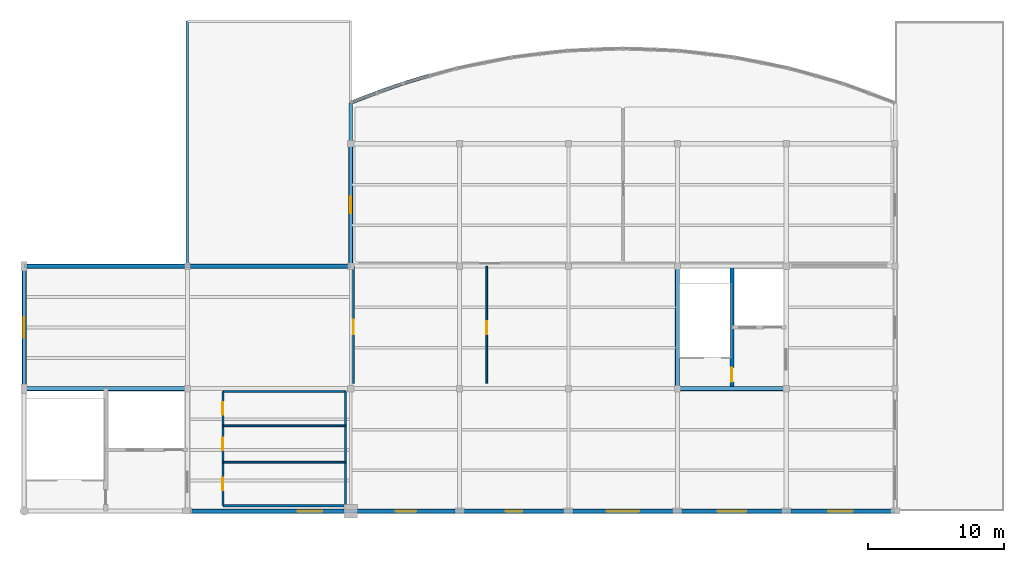
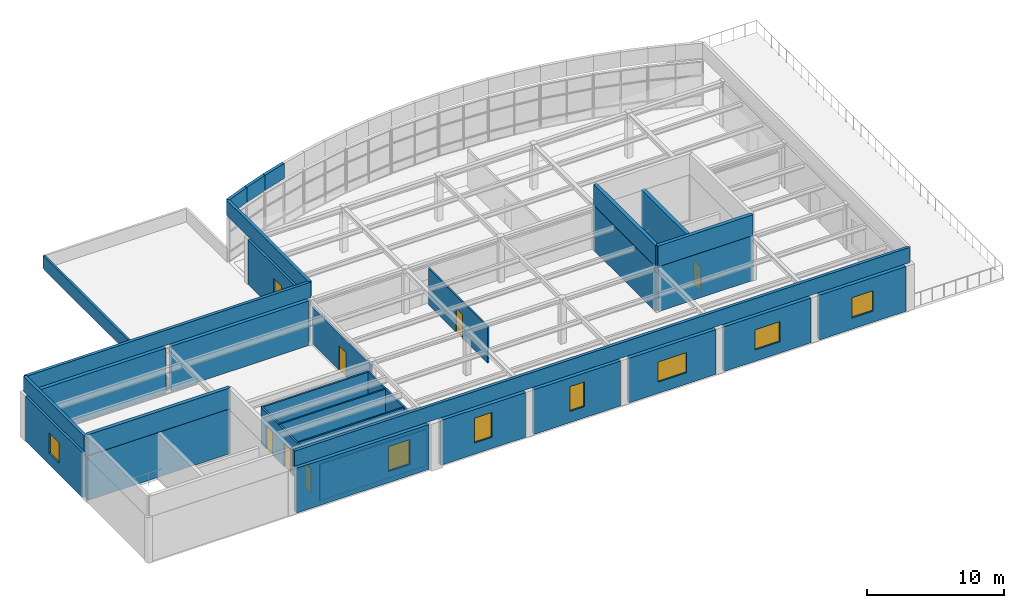
# One storey, part 7 of 9: 33 walls, 8 windows, 6 doors, 14 openings.
"""IFC4 building model written with IfcOpenShell, lengths in metres."""

from ifc_helpers import new_model, si_unit, direction, frame, frame_2d, origin, place, context, subcontext, project, spatial, rectangle, extrude, material, layer, layer_set, type_object, element, fill, save


model = new_model("IFC4")

# Units and contexts
model_context = context("Model", 3, precision=1e-05, world=origin(), true_north=direction((0.0, 1.0)))
body_context = subcontext(model_context, "Body", "Model", "MODEL_VIEW")
ifc_project = project(units=[si_unit("LENGTHUNIT", "METRE"), si_unit("AREAUNIT", "SQUARE_METRE"), si_unit("VOLUMEUNIT", "CUBIC_METRE"), si_unit("PLANEANGLEUNIT", "RADIAN"), si_unit("MASSUNIT", "GRAM", prefix="KILO")], contexts=[model_context])

# Site, building, storey
site_placement = place(None, origin())
site = spatial("IfcSite", under=ifc_project, at=site_placement, CompositionType="ELEMENT")
building_placement = place(site_placement, origin())
building = spatial("IfcBuilding", under=site, at=building_placement, Name="Keelwater Ferry Terminal", CompositionType="ELEMENT")
storey_placement = place(building_placement, frame((0.0, 0.0, 23.699951171875)))
storey = spatial("IfcBuildingStorey", under=building, at=storey_placement, Name="L05", CompositionType="ELEMENT", Elevation=23.699951171875)

# Wall, opening, window
ifc_material_1 = material(Name="Precast concrete C40/50", Category="concrete")
ifc_layer_1 = layer(ifc_material_1, 0.320068359375)
ifc_layer_set_1 = layer_set([ifc_layer_1], Name="Precast concrete C40/50")
wall_type_1 = type_object("IfcWallType", Name="EW-TC320 External Solid Wall 320", PredefinedType="SOLIDWALL", material=ifc_layer_set_1)
wall_1_placement = place(storey_placement, frame((131.5, 90.0, 0.0), z_axis=(0.0, 0.0, 1.0), x_axis=(-1.0, 0.0, 0.0)))
wall_1 = element("IfcWall", 1, at=wall_1_placement, inside=storey, type_object=wall_type_1, Name="External Wall WL-L05-0145", PredefinedType="SOLIDWALL", context=body_context, shape_type="SweptSolid", body=[
    extrude(rectangle(XDim=11.14990234375, YDim=0.320068359375, at=frame_2d((5.574951171875, 0.0))), origin(), (0.0, 0.0, 1.0), 3.97998046875),
])
opening_1_placement = place(wall_1_placement, frame((1.60009765625, 0.0, 1.0)))
opening_1 = element("IfcOpeningElement", 2, at=opening_1_placement, cuts=wall_1, Name="Opening WN-03", PredefinedType="OPENING", context=body_context, shape_type="SweptSolid", body=[
    extrude(rectangle(XDim=1.800048828125, YDim=2.199951171875, at=frame_2d((0.89990234375, 1.10009765625))), frame((0.0, 0.170166015625, 0.0), z_axis=(0.0, -1.0, 0.0), x_axis=(1.0, 0.0, 0.0)), (0.0, 0.0, 1.0), 0.340087890625),
])
ifc_material_2 = material(Name="Triple low-E glass in thermally broken aluminium frame", Category="aluminium")
window_type_1 = type_object("IfcWindowType", Name="WN-03 Exterior Window 1800x2200", PartitioningType="SINGLE_PANEL", PredefinedType="WINDOW", material=ifc_material_2)
window_1_placement = place(opening_1_placement, origin())
window_1 = element("IfcWindow", 3, at=window_1_placement, inside=storey, type_object=window_type_1, Name="Window WN-L05-0102", OverallHeight=2.199951171875, OverallWidth=1.800048828125, PartitioningType="SINGLE_PANEL", PredefinedType="WINDOW", context=body_context, shape_type="SweptSolid", body=[
    extrude(rectangle(XDim=1.800048828125, YDim=2.199951171875, at=frame_2d((0.89990234375, 1.10009765625))), frame((0.0, 0.030029296875, 0.0), z_axis=(0.0, -1.0, 0.0), x_axis=(1.0, 0.0, 0.0)), (0.0, 0.0, 1.0), 0.06005859375),
])
fill(opening_1, window_1)

wall_2_placement = place(storey_placement, frame((139.64990234375, 90.0, 0.0), z_axis=(0.0, 0.0, 1.0), x_axis=(-1.0, 0.0, 0.0)))
wall_2 = element("IfcWall", 4, at=wall_2_placement, inside=storey, type_object=wall_type_1, Name="External Wall WL-L05-0146", PredefinedType="SOLIDWALL", context=body_context, shape_type="SweptSolid", body=[
    extrude(rectangle(XDim=7.14990234375, YDim=0.320068359375, at=frame_2d((3.574951171875, 0.0))), origin(), (0.0, 0.0, 1.0), 3.97998046875),
])
opening_2_placement = place(wall_2_placement, frame((2.824951171875, 0.0, 1.0)))
opening_2 = element("IfcOpeningElement", 5, at=opening_2_placement, cuts=wall_2, Name="Opening WN-04", PredefinedType="OPENING", context=body_context, shape_type="SweptSolid", body=[
    extrude(rectangle(XDim=1.5, YDim=2.199951171875, at=frame_2d((0.75, 1.10009765625))), frame((0.0, 0.170166015625, 0.0), z_axis=(0.0, -1.0, 0.0), x_axis=(1.0, 0.0, 0.0)), (0.0, 0.0, 1.0), 0.340087890625),
])
ifc_material_3 = material(Name="Triple low-E glass in thermally broken aluminium frame", Category="aluminium")
window_type_2 = type_object("IfcWindowType", Name="WN-04 Exterior Window 1500x2200", PartitioningType="SINGLE_PANEL", PredefinedType="WINDOW", material=ifc_material_3)
window_2_placement = place(opening_2_placement, origin())
window_2 = element("IfcWindow", 6, at=window_2_placement, inside=storey, type_object=window_type_2, Name="Window WN-L05-0103", OverallHeight=2.199951171875, OverallWidth=1.5, PartitioningType="SINGLE_PANEL", PredefinedType="WINDOW", context=body_context, shape_type="SweptSolid", body=[
    extrude(rectangle(XDim=1.5, YDim=2.199951171875, at=frame_2d((0.75, 1.10009765625))), frame((0.0, 0.030029296875, 0.0), z_axis=(0.0, -1.0, 0.0), x_axis=(1.0, 0.0, 0.0)), (0.0, 0.0, 1.0), 0.06005859375),
])
fill(opening_2, window_2)

wall_3_placement = place(storey_placement, frame((147.64990234375, 90.0, 0.0), z_axis=(0.0, 0.0, 1.0), x_axis=(-1.0, 0.0, 0.0)))
wall_3 = element("IfcWall", 7, at=wall_3_placement, inside=storey, type_object=wall_type_1, Name="External Wall WL-L05-0147", PredefinedType="SOLIDWALL", context=body_context, shape_type="SweptSolid", body=[
    extrude(rectangle(XDim=7.2998046875, YDim=0.320068359375, at=frame_2d((3.64990234375, 0.0))), origin(), (0.0, 0.0, 1.0), 3.97998046875),
])
opening_3_placement = place(wall_3_placement, frame((3.050048828125, 0.0, 1.0)))
opening_3 = element("IfcOpeningElement", 8, at=opening_3_placement, cuts=wall_3, Name="Opening WN-05", PredefinedType="OPENING", context=body_context, shape_type="SweptSolid", body=[
    extrude(rectangle(XDim=1.199951171875, YDim=2.199951171875, at=frame_2d((0.60009765625, 1.10009765625))), frame((0.0, 0.170166015625, 0.0), z_axis=(0.0, -1.0, 0.0), x_axis=(1.0, 0.0, 0.0)), (0.0, 0.0, 1.0), 0.340087890625),
])
ifc_material_4 = material(Name="Triple low-E glass in thermally broken aluminium frame", Category="aluminium")
window_type_3 = type_object("IfcWindowType", Name="WN-05 Exterior Window 1200x2200", PartitioningType="SINGLE_PANEL", PredefinedType="WINDOW", material=ifc_material_4)
window_3_placement = place(opening_3_placement, origin())
window_3 = element("IfcWindow", 9, at=window_3_placement, inside=storey, type_object=window_type_3, Name="Window WN-L05-0104", OverallHeight=2.199951171875, OverallWidth=1.199951171875, PartitioningType="SINGLE_PANEL", PredefinedType="WINDOW", context=body_context, shape_type="SweptSolid", body=[
    extrude(rectangle(XDim=1.199951171875, YDim=2.199951171875, at=frame_2d((0.60009765625, 1.10009765625))), frame((0.0, 0.030029296875, 0.0), z_axis=(0.0, -1.0, 0.0), x_axis=(1.0, 0.0, 0.0)), (0.0, 0.0, 1.0), 0.06005859375),
])
fill(opening_3, window_3)

wall_4_placement = place(storey_placement, frame((155.64990234375, 90.0, 0.0), z_axis=(0.0, 0.0, 1.0), x_axis=(-1.0, 0.0, 0.0)))
wall_4 = element("IfcWall", 10, at=wall_4_placement, inside=storey, type_object=wall_type_1, Name="External Wall WL-L05-0148", PredefinedType="SOLIDWALL", context=body_context, shape_type="SweptSolid", body=[
    extrude(rectangle(XDim=7.2998046875, YDim=0.320068359375, at=frame_2d((3.64990234375, 0.0))), origin(), (0.0, 0.0, 1.0), 3.97998046875),
])
opening_4_placement = place(wall_4_placement, frame((2.449951171875, 0.0, 1.0)))
opening_4 = element("IfcOpeningElement", 11, at=opening_4_placement, cuts=wall_4, Name="Opening WN-06", PredefinedType="OPENING", context=body_context, shape_type="SweptSolid", body=[
    extrude(rectangle(XDim=2.39990234375, YDim=1.800048828125, at=frame_2d((1.199951171875, 0.89990234375))), frame((0.0, 0.170166015625, 0.0), z_axis=(0.0, -1.0, 0.0), x_axis=(1.0, 0.0, 0.0)), (0.0, 0.0, 1.0), 0.340087890625),
])
ifc_material_5 = material(Name="Triple low-E glass in thermally broken aluminium frame", Category="aluminium")
window_type_4 = type_object("IfcWindowType", Name="WN-06 Exterior Window 2400x1800", PartitioningType="SINGLE_PANEL", PredefinedType="WINDOW", material=ifc_material_5)
window_4_placement = place(opening_4_placement, origin())
window_4 = element("IfcWindow", 12, at=window_4_placement, inside=storey, type_object=window_type_4, Name="Window WN-L05-0105", OverallHeight=1.800048828125, OverallWidth=2.39990234375, PartitioningType="SINGLE_PANEL", PredefinedType="WINDOW", context=body_context, shape_type="SweptSolid", body=[
    extrude(rectangle(XDim=2.39990234375, YDim=1.800048828125, at=frame_2d((1.199951171875, 0.89990234375))), frame((0.0, 0.030029296875, 0.0), z_axis=(0.0, -1.0, 0.0), x_axis=(1.0, 0.0, 0.0)), (0.0, 0.0, 1.0), 0.06005859375),
])
fill(opening_4, window_4)

wall_5_placement = place(storey_placement, frame((163.64990234375, 90.0, 0.0), z_axis=(0.0, 0.0, 1.0), x_axis=(-1.0, 0.0, 0.0)))
wall_5 = element("IfcWall", 13, at=wall_5_placement, inside=storey, type_object=wall_type_1, Name="External Wall WL-L05-0149", PredefinedType="SOLIDWALL", context=body_context, shape_type="SweptSolid", body=[
    extrude(rectangle(XDim=7.2998046875, YDim=0.320068359375, at=frame_2d((3.64990234375, 0.0))), origin(), (0.0, 0.0, 1.0), 3.97998046875),
])
opening_5_placement = place(wall_5_placement, frame((2.60009765625, 0.0, 1.0)))
opening_5 = element("IfcOpeningElement", 14, at=opening_5_placement, cuts=wall_5, Name="Opening WN-07", PredefinedType="OPENING", context=body_context, shape_type="SweptSolid", body=[
    extrude(rectangle(XDim=2.10009765625, YDim=1.800048828125, at=frame_2d((1.050048828125, 0.89990234375))), frame((0.0, 0.170166015625, 0.0), z_axis=(0.0, -1.0, 0.0), x_axis=(1.0, 0.0, 0.0)), (0.0, 0.0, 1.0), 0.340087890625),
])
ifc_material_6 = material(Name="Triple low-E glass in thermally broken aluminium frame", Category="aluminium")
window_type_5 = type_object("IfcWindowType", Name="WN-07 Exterior Window 2100x1800", PartitioningType="SINGLE_PANEL", PredefinedType="WINDOW", material=ifc_material_6)
window_5_placement = place(opening_5_placement, origin())
window_5 = element("IfcWindow", 15, at=window_5_placement, inside=storey, type_object=window_type_5, Name="Window WN-L05-0106", OverallHeight=1.800048828125, OverallWidth=2.10009765625, PartitioningType="SINGLE_PANEL", PredefinedType="WINDOW", context=body_context, shape_type="SweptSolid", body=[
    extrude(rectangle(XDim=2.10009765625, YDim=1.800048828125, at=frame_2d((1.050048828125, 0.89990234375))), frame((0.0, 0.030029296875, 0.0), z_axis=(0.0, -1.0, 0.0), x_axis=(1.0, 0.0, 0.0)), (0.0, 0.0, 1.0), 0.06005859375),
])
fill(opening_5, window_5)

wall_6_placement = place(storey_placement, frame((171.64990234375, 90.0, 0.0), z_axis=(0.0, 0.0, 1.0), x_axis=(-1.0, 0.0, 0.0)))
wall_6 = element("IfcWall", 16, at=wall_6_placement, inside=storey, type_object=wall_type_1, Name="External Wall WL-L05-0150", PredefinedType="SOLIDWALL", context=body_context, shape_type="SweptSolid", body=[
    extrude(rectangle(XDim=7.2998046875, YDim=0.320068359375, at=frame_2d((3.64990234375, 0.0))), origin(), (0.0, 0.0, 1.0), 3.97998046875),
])
opening_6_placement = place(wall_6_placement, frame((2.75, 0.0, 1.0)))
opening_6 = element("IfcOpeningElement", 17, at=opening_6_placement, cuts=wall_6, Name="Opening WN-08", PredefinedType="OPENING", context=body_context, shape_type="SweptSolid", body=[
    extrude(rectangle(XDim=1.800048828125, YDim=1.800048828125, at=frame_2d((0.89990234375, 0.89990234375))), frame((0.0, 0.170166015625, 0.0), z_axis=(0.0, -1.0, 0.0), x_axis=(1.0, 0.0, 0.0)), (0.0, 0.0, 1.0), 0.340087890625),
])
ifc_material_7 = material(Name="Triple low-E glass in thermally broken aluminium frame", Category="aluminium")
window_type_6 = type_object("IfcWindowType", Name="WN-08 Exterior Window 1800x1800", PartitioningType="SINGLE_PANEL", PredefinedType="WINDOW", material=ifc_material_7)
window_6_placement = place(opening_6_placement, origin())
window_6 = element("IfcWindow", 18, at=window_6_placement, inside=storey, type_object=window_type_6, Name="Window WN-L05-0107", OverallHeight=1.800048828125, OverallWidth=1.800048828125, PartitioningType="SINGLE_PANEL", PredefinedType="WINDOW", context=body_context, shape_type="SweptSolid", body=[
    extrude(rectangle(XDim=1.800048828125, YDim=1.800048828125, at=frame_2d((0.89990234375, 0.89990234375))), frame((0.0, 0.030029296875, 0.0), z_axis=(0.0, -1.0, 0.0), x_axis=(1.0, 0.0, 0.0)), (0.0, 0.0, 1.0), 0.06005859375),
])
fill(opening_6, window_6)

wall_7_placement = place(storey_placement, frame((108.0, 107.64990234375, 0.0), z_axis=(0.0, 0.0, 1.0), x_axis=(0.0, -1.0, 0.0)))
wall_7 = element("IfcWall", 19, at=wall_7_placement, inside=storey, type_object=wall_type_1, Name="External Wall WL-L05-0151", PredefinedType="SOLIDWALL", context=body_context, shape_type="SweptSolid", body=[
    extrude(rectangle(XDim=8.2998046875, YDim=0.320068359375, at=frame_2d((4.14990234375, 0.0))), origin(), (0.0, 0.0, 1.0), 3.97998046875),
])
opening_7_placement = place(wall_7_placement, frame((3.39990234375, 0.0, 1.0)))
opening_7 = element("IfcOpeningElement", 20, at=opening_7_placement, cuts=wall_7, Name="Opening WN-09", PredefinedType="OPENING", context=body_context, shape_type="SweptSolid", body=[
    extrude(rectangle(XDim=1.5, YDim=1.800048828125, at=frame_2d((0.75, 0.89990234375))), frame((0.0, 0.170166015625, 0.0), z_axis=(0.0, -1.0, 0.0), x_axis=(1.0, 0.0, 0.0)), (0.0, 0.0, 1.0), 0.340087890625),
])
ifc_material_8 = material(Name="Triple low-E glass in thermally broken aluminium frame", Category="aluminium")
window_type_7 = type_object("IfcWindowType", Name="WN-09 Exterior Window 1500x1800", PartitioningType="SINGLE_PANEL", PredefinedType="WINDOW", material=ifc_material_8)
window_7_placement = place(opening_7_placement, origin())
window_7 = element("IfcWindow", 21, at=window_7_placement, inside=storey, type_object=window_type_7, Name="Window WN-L05-0108", OverallHeight=1.800048828125, OverallWidth=1.5, PartitioningType="SINGLE_PANEL", PredefinedType="WINDOW", context=body_context, shape_type="SweptSolid", body=[
    extrude(rectangle(XDim=1.5, YDim=1.800048828125, at=frame_2d((0.75, 0.89990234375))), frame((0.0, 0.030029296875, 0.0), z_axis=(0.0, -1.0, 0.0), x_axis=(1.0, 0.0, 0.0)), (0.0, 0.0, 1.0), 0.06005859375),
])
fill(opening_7, window_7)

wall_8_placement = place(storey_placement, frame((132.0, 116.77490234375, 0.0), z_axis=(0.0, 0.0, 1.0), x_axis=(0.0, -1.0, 0.0)))
wall_8 = element("IfcWall", 22, at=wall_8_placement, inside=storey, type_object=wall_type_1, Name="External Wall WL-L05-0152", PredefinedType="SOLIDWALL", context=body_context, shape_type="SweptSolid", body=[
    extrude(rectangle(XDim=8.5498046875, YDim=0.320068359375, at=frame_2d((4.27490234375, 0.0))), origin(), (0.0, 0.0, 1.0), 3.97998046875),
])
opening_8_placement = place(wall_8_placement, frame((3.675048828125, 0.0, 1.0)))
opening_8 = element("IfcOpeningElement", 23, at=opening_8_placement, cuts=wall_8, Name="Opening WN-10", PredefinedType="OPENING", context=body_context, shape_type="SweptSolid", body=[
    extrude(rectangle(XDim=1.199951171875, YDim=1.800048828125, at=frame_2d((0.60009765625, 0.89990234375))), frame((0.0, 0.170166015625, 0.0), z_axis=(0.0, -1.0, 0.0), x_axis=(1.0, 0.0, 0.0)), (0.0, 0.0, 1.0), 0.340087890625),
])
ifc_material_9 = material(Name="Triple low-E glass in thermally broken aluminium frame", Category="aluminium")
window_type_8 = type_object("IfcWindowType", Name="WN-10 Exterior Window 1200x1800", PartitioningType="SINGLE_PANEL", PredefinedType="WINDOW", material=ifc_material_9)
window_8_placement = place(opening_8_placement, origin())
window_8 = element("IfcWindow", 24, at=window_8_placement, inside=storey, type_object=window_type_8, Name="Window WN-L05-0109", OverallHeight=1.800048828125, OverallWidth=1.199951171875, PartitioningType="SINGLE_PANEL", PredefinedType="WINDOW", context=body_context, shape_type="SweptSolid", body=[
    extrude(rectangle(XDim=1.199951171875, YDim=1.800048828125, at=frame_2d((0.60009765625, 0.89990234375))), frame((0.0, 0.030029296875, 0.0), z_axis=(0.0, -1.0, 0.0), x_axis=(1.0, 0.0, 0.0)), (0.0, 0.0, 1.0), 0.06005859375),
])
fill(opening_8, window_8)

# Walls
for number, where, z_axis, x_axis, name in (
    (25, (108.22509765625, 108.0, 0.0), (0.0, 0.0, 1.0), (1.0, 0.0, 0.0), "External Wall WL-L05-0153"),
    (26, (120.22509765625, 108.0, 0.0), (0.0, 0.0, 1.0), (1.0, 0.0, 0.0), "External Wall WL-L05-0154"),
):
    element("IfcWall", number, at=place(storey_placement, frame(where, z_axis=z_axis, x_axis=x_axis)), inside=storey, type_object=wall_type_1, Name=name, PredefinedType="SOLIDWALL", context=body_context, shape_type="SweptSolid", body=[
        extrude(rectangle(XDim=11.5498046875, YDim=0.320068359375, at=frame_2d((5.77490234375, 0.0))), origin(), (0.0, 0.0, 1.0), 3.97998046875),
    ])
ifc_material_10 = material(Name="Gypsum board on acoustic steel stud", Category="steel")
ifc_layer_2 = layer(ifc_material_10, 0.125)
ifc_layer_set_2 = layer_set([ifc_layer_2], Name="Gypsum board on acoustic steel stud")
wall_type_2 = type_object("IfcWallType", Name="PT-125 Partition Wall 125", PredefinedType="PARTITIONING", material=ifc_layer_set_2)
for number, where, z_axis, x_axis, name in (
    (27, (122.60009765625, 93.592041015625, 0.0), (0.0, 0.0, 1.0), (1.0, 0.0, 0.0), "Interior Wall WL-INT-L05-0200"),
    (28, (122.60009765625, 96.280029296875, 0.0), (0.0, 0.0, 1.0), (1.0, 0.0, 0.0), "Interior Wall WL-INT-L05-0201"),
):
    element("IfcWall", number, at=place(storey_placement, frame(where, z_axis=z_axis, x_axis=x_axis)), inside=storey, type_object=wall_type_2, Name=name, PredefinedType="PARTITIONING", context=body_context, shape_type="SweptSolid", body=[
        extrude(rectangle(XDim=9.0, YDim=0.125, at=frame_2d((4.5, 0.0))), origin(), (0.0, 0.0, 1.0), 3.25),
    ])

# Wall, opening, door
wall_9_placement = place(storey_placement, frame((142.0, 99.39990234375, 0.0), z_axis=(0.0, 0.0, 1.0), x_axis=(0.0, 1.0, 0.0)))
wall_9 = element("IfcWall", 29, at=wall_9_placement, inside=storey, type_object=wall_type_2, Name="Interior Wall WL-INT-L05-0274", PredefinedType="PARTITIONING", context=body_context, shape_type="SweptSolid", body=[
    extrude(rectangle(XDim=8.60009765625, YDim=0.125, at=frame_2d((4.300048828125, 0.0))), origin(), (0.0, 0.0, 1.0), 3.25),
])
opening_9_placement = place(wall_9_placement, frame((3.60009765625, 0.0, 0.0)))
opening_9 = element("IfcOpeningElement", 30, at=opening_9_placement, cuts=wall_9, Name="Opening DR-057", PredefinedType="OPENING", context=body_context, shape_type="SweptSolid", body=[
    extrude(rectangle(XDim=0.949951171875, YDim=2.10009765625, at=frame_2d((0.47509765625, 1.050048828125))), frame((0.0, 0.072509765625, 0.0), z_axis=(0.0, -1.0, 0.0), x_axis=(1.0, 0.0, 0.0)), (0.0, 0.0, 1.0), 0.14501953125),
])
ifc_material_11 = material(Name="Acoustic oak and fire-rated steel frame door", Category="steel")
door_type_1 = type_object("IfcDoorType", Name="ID-08 Pedestrian Door 950x2100", OperationType="NOTDEFINED", PredefinedType="DOOR", material=ifc_material_11)
door_1_placement = place(opening_9_placement, origin())
door_1 = element("IfcDoor", 31, at=door_1_placement, inside=storey, type_object=door_type_1, Name="Door DR-057", OperationType="SINGLE_SWING_RIGHT", OverallHeight=2.10009765625, OverallWidth=0.949951171875, PredefinedType="DOOR", context=body_context, shape_type="SweptSolid", body=[
    extrude(rectangle(XDim=0.949951171875, YDim=2.10009765625, at=frame_2d((0.47509765625, 1.050048828125))), frame((0.0, 0.02490234375, 0.0), z_axis=(0.0, -1.0, 0.0), x_axis=(1.0, 0.0, 0.0)), (0.0, 0.0, 1.0), 0.050048828125),
])
fill(opening_9, door_1)

wall_10_placement = place(storey_placement, frame((132.199951171875, 99.39990234375, 0.0), z_axis=(0.0, 0.0, 1.0), x_axis=(0.0, 1.0, 0.0)))
wall_10 = element("IfcWall", 32, at=wall_10_placement, inside=storey, type_object=wall_type_2, Name="Interior Wall WL-INT-L05-0275", PredefinedType="PARTITIONING", context=body_context, shape_type="SweptSolid", body=[
    extrude(rectangle(XDim=8.60009765625, YDim=0.125, at=frame_2d((4.300048828125, 0.0))), origin(), (0.0, 0.0, 1.0), 3.25),
])
opening_10_placement = place(wall_10_placement, frame((3.60009765625, 0.0, 0.0)))
opening_10 = element("IfcOpeningElement", 33, at=opening_10_placement, cuts=wall_10, Name="Opening DR-058", PredefinedType="OPENING", context=body_context, shape_type="SweptSolid", body=[
    extrude(rectangle(XDim=1.050048828125, YDim=2.14990234375, at=frame_2d((0.52490234375, 1.074951171875))), frame((0.0, 0.072509765625, 0.0), z_axis=(0.0, -1.0, 0.0), x_axis=(1.0, 0.0, 0.0)), (0.0, 0.0, 1.0), 0.14501953125),
])
ifc_material_12 = material(Name="Acoustic oak and fire-rated steel frame door", Category="steel")
door_type_2 = type_object("IfcDoorType", Name="ID-06 Pedestrian Door 1050x2150", OperationType="NOTDEFINED", PredefinedType="DOOR", material=ifc_material_12)
door_2_placement = place(opening_10_placement, origin())
door_2 = element("IfcDoor", 34, at=door_2_placement, inside=storey, type_object=door_type_2, Name="Door DR-058", OperationType="SINGLE_SWING_LEFT", OverallHeight=2.14990234375, OverallWidth=1.050048828125, PredefinedType="DOOR", context=body_context, shape_type="SweptSolid", body=[
    extrude(rectangle(XDim=1.050048828125, YDim=2.14990234375, at=frame_2d((0.52490234375, 1.074951171875))), frame((0.0, 0.02490234375, 0.0), z_axis=(0.0, -1.0, 0.0), x_axis=(1.0, 0.0, 0.0)), (0.0, 0.0, 1.0), 0.050048828125),
])
fill(opening_10, door_2)

# Wall, openings, doors
ifc_material_13 = material(Name="Gypsum board on acoustic steel stud", Category="steel")
ifc_layer_3 = layer(ifc_material_13, 0.14990234375)
ifc_layer_set_3 = layer_set([ifc_layer_3], Name="Gypsum board on acoustic steel stud")
wall_type_3 = type_object("IfcWallType", Name="PT-150 Partition Wall 150", PredefinedType="PARTITIONING", material=ifc_layer_set_3)
wall_11_placement = place(storey_placement, frame((122.60009765625, 90.39990234375, 0.0), z_axis=(0.0, 0.0, 1.0), x_axis=(0.0, 1.0, 0.0)))
wall_11 = element("IfcWall", 35, at=wall_11_placement, inside=storey, type_object=wall_type_3, Name="Interior Wall WL-INT-L05-0196", PredefinedType="PARTITIONING", context=body_context, shape_type="SweptSolid", body=[
    extrude(rectangle(XDim=8.400146484375, YDim=0.14990234375, at=frame_2d((4.2001953125, 0.0))), origin(), (0.0, 0.0, 1.0), 3.25),
])
opening_11_placement = place(wall_11_placement, frame((1.14599609375, 0.0, 0.0)))
opening_11 = element("IfcOpeningElement", 36, at=opening_11_placement, cuts=wall_11, Name="Opening WD-025", PredefinedType="OPENING", context=body_context, shape_type="SweptSolid", body=[
    extrude(rectangle(XDim=0.89990234375, YDim=2.10009765625, at=frame_2d((0.449951171875, 1.050048828125))), frame((0.0, 0.0849609375, 0.0), z_axis=(0.0, -1.0, 0.0), x_axis=(1.0, 0.0, 0.0)), (0.0, 0.0, 1.0), 0.169921875),
])
opening_12_placement = place(wall_11_placement, frame((4.0859375, 0.0, 0.0)))
opening_12 = element("IfcOpeningElement", 37, at=opening_12_placement, cuts=wall_11, Name="Opening WD-026", PredefinedType="OPENING", context=body_context, shape_type="SweptSolid", body=[
    extrude(rectangle(XDim=0.89990234375, YDim=2.10009765625, at=frame_2d((0.449951171875, 1.050048828125))), frame((0.0, 0.0849609375, 0.0), z_axis=(0.0, -1.0, 0.0), x_axis=(1.0, 0.0, 0.0)), (0.0, 0.0, 1.0), 0.169921875),
])
opening_13_placement = place(wall_11_placement, frame((6.679931640625, 0.0, 0.0)))
opening_13 = element("IfcOpeningElement", 38, at=opening_13_placement, cuts=wall_11, Name="Opening WD-027", PredefinedType="OPENING", context=body_context, shape_type="SweptSolid", body=[
    extrude(rectangle(XDim=0.919921875, YDim=2.10009765625, at=frame_2d((0.4599609375, 1.050048828125))), frame((0.0, 0.0849609375, 0.0), z_axis=(0.0, -1.0, 0.0), x_axis=(1.0, 0.0, 0.0)), (0.0, 0.0, 1.0), 0.169921875),
])
ifc_material_14 = material(Name="Acoustic oak and fire-rated steel frame door", Category="steel")
door_type_3 = type_object("IfcDoorType", Name="ID-09 Pedestrian Door 920x2100", OperationType="NOTDEFINED", PredefinedType="DOOR", material=ifc_material_14)
door_3_placement = place(opening_13_placement, origin())
door_3 = element("IfcDoor", 39, at=door_3_placement, inside=storey, type_object=door_type_3, Name="Door WD-027", OperationType="SINGLE_SWING_LEFT", OverallHeight=2.10009765625, OverallWidth=0.919921875, PredefinedType="DOOR", context=body_context, shape_type="SweptSolid", body=[
    extrude(rectangle(XDim=0.919921875, YDim=2.10009765625, at=frame_2d((0.4599609375, 1.050048828125))), frame((0.0, 0.02490234375, 0.0), z_axis=(0.0, -1.0, 0.0), x_axis=(1.0, 0.0, 0.0)), (0.0, 0.0, 1.0), 0.050048828125),
])
fill(opening_13, door_3)
ifc_material_15 = material(Name="Acoustic oak and fire-rated steel frame door", Category="steel")
door_type_4 = type_object("IfcDoorType", Name="ID-10 Pedestrian Door 900x2100", OperationType="NOTDEFINED", PredefinedType="DOOR", material=ifc_material_15)
door_4_placement = place(opening_11_placement, origin())
door_4 = element("IfcDoor", 40, at=door_4_placement, inside=storey, type_object=door_type_4, Name="Door WD-025", OperationType="SINGLE_SWING_LEFT", OverallHeight=2.10009765625, OverallWidth=0.89990234375, PredefinedType="DOOR", context=body_context, shape_type="SweptSolid", body=[
    extrude(rectangle(XDim=0.89990234375, YDim=2.10009765625, at=frame_2d((0.449951171875, 1.050048828125))), frame((0.0, 0.02490234375, 0.0), z_axis=(0.0, -1.0, 0.0), x_axis=(1.0, 0.0, 0.0)), (0.0, 0.0, 1.0), 0.050048828125),
])
fill(opening_11, door_4)
door_5_placement = place(opening_12_placement, origin())
door_5 = element("IfcDoor", 41, at=door_5_placement, inside=storey, type_object=door_type_4, Name="Door WD-026", OperationType="SINGLE_SWING_RIGHT", OverallHeight=2.10009765625, OverallWidth=0.89990234375, PredefinedType="DOOR", context=body_context, shape_type="SweptSolid", body=[
    extrude(rectangle(XDim=0.89990234375, YDim=2.10009765625, at=frame_2d((0.449951171875, 1.050048828125))), frame((0.0, 0.02490234375, 0.0), z_axis=(0.0, -1.0, 0.0), x_axis=(1.0, 0.0, 0.0)), (0.0, 0.0, 1.0), 0.050048828125),
])
fill(opening_12, door_5)

# Walls
wall_12_placement = place(storey_placement, frame((131.60009765625, 90.39990234375, 0.0), z_axis=(0.0, 0.0, 1.0), x_axis=(0.0, 1.0, 0.0)))
element("IfcWall", 42, at=wall_12_placement, inside=storey, type_object=wall_type_3, Name="Interior Wall WL-INT-L05-0197", PredefinedType="PARTITIONING", context=body_context, shape_type="SweptSolid", body=[
    extrude(rectangle(XDim=8.400146484375, YDim=0.14990234375, at=frame_2d((4.2001953125, 0.0))), origin(), (0.0, 0.0, 1.0), 3.25),
])
for number, where, z_axis, x_axis, name in (
    (43, (122.60009765625, 98.800048828125, 0.0), (0.0, 0.0, 1.0), (1.0, 0.0, 0.0), "Interior Wall WL-INT-L05-0198"),
    (44, (122.60009765625, 90.39990234375, 0.0), (0.0, 0.0, 1.0), (1.0, 0.0, 0.0), "Interior Wall WL-INT-L05-0199"),
):
    element("IfcWall", number, at=place(storey_placement, frame(where, z_axis=z_axis, x_axis=x_axis)), inside=storey, type_object=wall_type_3, Name=name, PredefinedType="PARTITIONING", context=body_context, shape_type="SweptSolid", body=[
        extrude(rectangle(XDim=9.0, YDim=0.14990234375, at=frame_2d((4.5, 0.0))), origin(), (0.0, 0.0, 1.0), 3.25),
    ])
ifc_material_16 = material(Name="Precast concrete C40/50", Category="concrete")
ifc_layer_4 = layer(ifc_material_16, 0.179931640625)
ifc_layer_set_4 = layer_set([ifc_layer_4], Name="Precast concrete C40/50")
wall_type_4 = type_object("IfcWallType", Name="PW-180 Roof Parapet 180", PredefinedType="PARAPET", material=ifc_layer_set_4)
wall_13_placement = place(storey_placement, frame((120.0, 108.0, 0.0), z_axis=(0.0, 0.0, 1.0), x_axis=(0.0, 1.0, 0.0)))
element("IfcWall", 45, at=wall_13_placement, inside=storey, type_object=wall_type_4, Name="Roof Parapet 4", PredefinedType="PARAPET", context=body_context, shape_type="SweptSolid", body=[
    extrude(rectangle(XDim=18.0, YDim=0.179931640625, at=frame_2d((9.0, 0.0))), origin(), (0.0, 0.0, 1.0), 1.150146484375),
])
ifc_material_17 = material(Name="Precast concrete C40/50", Category="concrete")
ifc_layer_5 = layer(ifc_material_17, 0.25)
ifc_layer_set_5 = layer_set([ifc_layer_5], Name="Precast concrete C40/50")
wall_type_5 = type_object("IfcWallType", Name="PW-250 Roof Parapet 250", PredefinedType="PARAPET", material=ifc_layer_set_5)
wall_14_placement = place(storey_placement, frame((120.199951171875, 90.0, 4.199951171875), z_axis=(0.0, 0.0, 1.0), x_axis=(1.0, 0.0, 0.0)))
element("IfcWall", 46, at=wall_14_placement, inside=storey, type_object=wall_type_5, Name="Roof Parapet 26", PredefinedType="PARAPET", context=body_context, shape_type="SweptSolid", body=[
    extrude(rectangle(XDim=51.800048828125, YDim=0.25, at=frame_2d((25.89990234375, 0.0))), origin(), (0.0, 0.0, 1.0), 1.35009765625),
])
wall_15_placement = place(storey_placement, frame((137.81201171875, 122.027099609375, 4.199951171875), z_axis=(0.0, 0.0, 1.0), x_axis=(-0.956490827553, -0.291762397864, 0.0)))
element("IfcWall", 47, at=wall_15_placement, inside=storey, type_object=wall_type_5, Name="Roof Parapet 45", PredefinedType="PARAPET", context=body_context, shape_type="SweptSolid", body=[
    extrude(rectangle(XDim=2.053466796875, YDim=0.25, at=frame_2d((1.02685546875, 0.0))), origin(), (0.0, 0.0, 1.0), 1.35009765625),
])
for number, where, z_axis, x_axis, name in (
    (48, (135.847900390625, 121.427978515625, 4.199951171875), (0.0, 0.0, 1.0), (-0.944202762238, -0.329364757954, 0.0), "Roof Parapet 46"),
    (49, (133.909912109375, 120.751953125, 4.199951171875), (0.0, 0.0, 1.0), (-0.930480893113, -0.366340425769, 0.0), "Roof Parapet 47"),
):
    element("IfcWall", number, at=place(storey_placement, frame(where, z_axis=z_axis, x_axis=x_axis)), inside=storey, type_object=wall_type_5, Name=name, PredefinedType="PARAPET", context=body_context, shape_type="SweptSolid", body=[
        extrude(rectangle(XDim=2.052490234375, YDim=0.25, at=frame_2d((1.0263671875, 0.0))), origin(), (0.0, 0.0, 1.0), 1.35009765625),
    ])
wall_16_placement = place(storey_placement, frame((132.0, 120.0, 4.199951171875), z_axis=(0.0, 0.0, 1.0), x_axis=(0.0, -1.0, 0.0)))
element("IfcWall", 50, at=wall_16_placement, inside=storey, type_object=wall_type_5, Name="Roof Parapet 48", PredefinedType="PARAPET", context=body_context, shape_type="SweptSolid", body=[
    extrude(rectangle(XDim=12.0, YDim=0.25, at=frame_2d((6.0, 0.0))), origin(), (0.0, 0.0, 1.0), 1.35009765625),
])
wall_17_placement = place(storey_placement, frame((132.0, 108.0, 4.199951171875), z_axis=(0.0, 0.0, 1.0), x_axis=(-1.0, 0.0, 0.0)))
element("IfcWall", 51, at=wall_17_placement, inside=storey, type_object=wall_type_5, Name="Roof Parapet 49", PredefinedType="PARAPET", context=body_context, shape_type="SweptSolid", body=[
    extrude(rectangle(XDim=24.0, YDim=0.25, at=frame_2d((12.0, 0.0))), origin(), (0.0, 0.0, 1.0), 1.35009765625),
])
wall_18_placement = place(storey_placement, frame((108.0, 108.0, 4.199951171875), z_axis=(0.0, 0.0, 1.0), x_axis=(0.0, -1.0, 0.0)))
element("IfcWall", 52, at=wall_18_placement, inside=storey, type_object=wall_type_5, Name="Roof Parapet 50", PredefinedType="PARAPET", context=body_context, shape_type="SweptSolid", body=[
    extrude(rectangle(XDim=8.800048828125, YDim=0.25, at=frame_2d((4.39990234375, 0.0))), origin(), (0.0, 0.0, 1.0), 1.35009765625),
])

# Wall, opening, door
ifc_material_18 = material(Name="Concrete C45/55", Category="concrete")
ifc_layer_6 = layer(ifc_material_18, 0.300048828125)
ifc_layer_set_6 = layer_set([ifc_layer_6], Name="Concrete C45/55")
wall_type_6 = type_object("IfcWallType", Name="SW-300 Shear Wall 300", PredefinedType="SHEAR", material=ifc_layer_set_6)
wall_19_placement = place(storey_placement, frame((160.0, 108.0, 0.0), z_axis=(0.0, 0.0, 1.0), x_axis=(0.0, -1.0, 0.0)))
wall_19 = element("IfcWall", 53, at=wall_19_placement, inside=storey, type_object=wall_type_6, Name="Interior Wall WL-INT-L05-0089", PredefinedType="SHEAR", context=body_context, shape_type="SweptSolid", body=[
    extrude(rectangle(XDim=9.0, YDim=0.300048828125, at=frame_2d((4.5, 0.0))), origin(), (0.0, 0.0, 1.0), 3.97998046875),
])
opening_14_placement = place(wall_19_placement, frame((7.449951171875, 0.0, 0.0)))
opening_14 = element("IfcOpeningElement", 54, at=opening_14_placement, cuts=wall_19, Name="Opening FD-029", PredefinedType="OPENING", context=body_context, shape_type="SweptSolid", body=[
    extrude(rectangle(XDim=1.050048828125, YDim=2.14990234375, at=frame_2d((0.52490234375, 1.074951171875))), frame((0.0, 0.159912109375, 0.0), z_axis=(0.0, -1.0, 0.0), x_axis=(1.0, 0.0, 0.0)), (0.0, 0.0, 1.0), 0.320068359375),
])
door_6_placement = place(opening_14_placement, origin())
door_6 = element("IfcDoor", 55, at=door_6_placement, inside=storey, type_object=door_type_2, Name="Door FD-029", OperationType="SINGLE_SWING_LEFT", OverallHeight=2.14990234375, OverallWidth=1.050048828125, PredefinedType="DOOR", context=body_context, shape_type="SweptSolid", body=[
    extrude(rectangle(XDim=1.050048828125, YDim=2.14990234375, at=frame_2d((0.52490234375, 1.074951171875))), frame((0.0, 0.02490234375, 0.0), z_axis=(0.0, -1.0, 0.0), x_axis=(1.0, 0.0, 0.0)), (0.0, 0.0, 1.0), 0.050048828125),
])
fill(opening_14, door_6)

# Walls
wall_20_placement = place(storey_placement, frame((108.0, 99.0, 3.97998046875), z_axis=(0.0, 0.0, 1.0), x_axis=(1.0, 0.0, 0.0)))
element("IfcWall", 56, at=wall_20_placement, inside=storey, type_object=wall_type_6, Name="Interior Wall WL-INT-L05-0116", PredefinedType="SHEAR", context=body_context, shape_type="SweptSolid", body=[
    extrude(rectangle(XDim=12.0, YDim=0.300048828125, at=frame_2d((6.0, 0.0))), origin(), (0.0, 0.0, 1.0), 1.840087890625),
])
wall_21_placement = place(storey_placement, frame((156.0, 99.0, 3.97998046875), z_axis=(0.0, 0.0, 1.0), x_axis=(1.0, 0.0, 0.0)))
element("IfcWall", 57, at=wall_21_placement, inside=storey, type_object=wall_type_6, Name="Interior Wall WL-INT-L05-0119", PredefinedType="SHEAR", context=body_context, shape_type="SweptSolid", body=[
    extrude(rectangle(XDim=8.0, YDim=0.300048828125, at=frame_2d((4.0, 0.0))), origin(), (0.0, 0.0, 1.0), 1.840087890625),
])
wall_22_placement = place(storey_placement, frame((156.0, 99.0, 3.97998046875), z_axis=(0.0, 0.0, 1.0), x_axis=(0.0, 1.0, 0.0)))
element("IfcWall", 58, at=wall_22_placement, inside=storey, type_object=wall_type_6, Name="Interior Wall WL-INT-L05-0121", PredefinedType="SHEAR", context=body_context, shape_type="SweptSolid", body=[
    extrude(rectangle(XDim=9.0, YDim=0.300048828125, at=frame_2d((4.5, 0.0))), origin(), (0.0, 0.0, 1.0), 1.840087890625),
])
ifc_material_19 = material(Name="Concrete C45/55", Category="concrete")
ifc_layer_7 = layer(ifc_material_19, 0.35009765625)
ifc_layer_set_7 = layer_set([ifc_layer_7], Name="Concrete C45/55")
wall_type_7 = type_object("IfcWallType", Name="SW-350 Shear Wall 350", PredefinedType="SHEAR", material=ifc_layer_set_7)
wall_23_placement = place(storey_placement, frame((108.0, 99.0, 0.0), z_axis=(0.0, 0.0, 1.0), x_axis=(1.0, 0.0, 0.0)))
element("IfcWall", 59, at=wall_23_placement, inside=storey, type_object=wall_type_7, Name="Interior Wall WL-INT-L05-0050", PredefinedType="SHEAR", context=body_context, shape_type="SweptSolid", body=[
    extrude(rectangle(XDim=12.0, YDim=0.35009765625, at=frame_2d((6.0, 0.0))), origin(), (0.0, 0.0, 1.0), 3.97998046875),
])
wall_24_placement = place(storey_placement, frame((156.0, 99.0, 0.0), z_axis=(0.0, 0.0, 1.0), x_axis=(1.0, 0.0, 0.0)))
element("IfcWall", 60, at=wall_24_placement, inside=storey, type_object=wall_type_7, Name="Interior Wall WL-INT-L05-0085", PredefinedType="SHEAR", context=body_context, shape_type="SweptSolid", body=[
    extrude(rectangle(XDim=8.0, YDim=0.35009765625, at=frame_2d((4.0, 0.0))), origin(), (0.0, 0.0, 1.0), 3.97998046875),
])
wall_25_placement = place(storey_placement, frame((156.0, 99.0, 0.0), z_axis=(0.0, 0.0, 1.0), x_axis=(0.0, 1.0, 0.0)))
element("IfcWall", 61, at=wall_25_placement, inside=storey, type_object=wall_type_7, Name="Interior Wall WL-INT-L05-0087", PredefinedType="SHEAR", context=body_context, shape_type="SweptSolid", body=[
    extrude(rectangle(XDim=9.0, YDim=0.35009765625, at=frame_2d((4.5, 0.0))), origin(), (0.0, 0.0, 1.0), 3.97998046875),
])

save(model, "model.ifc")
